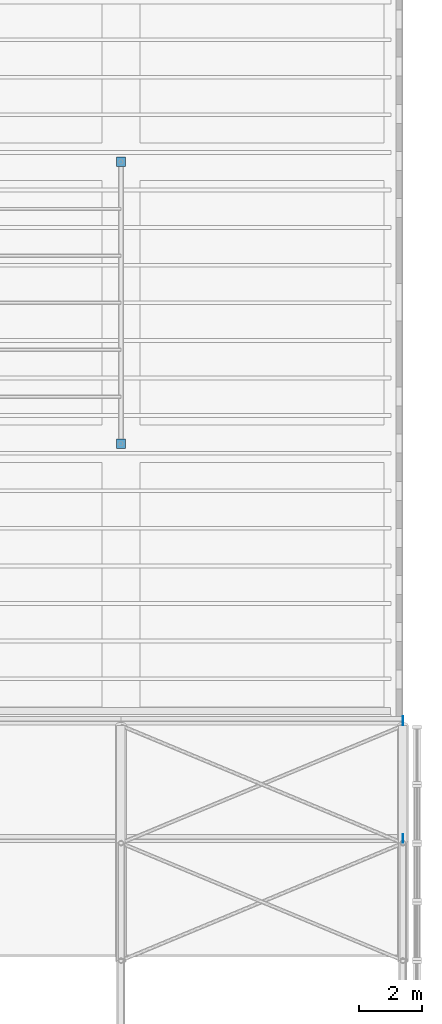
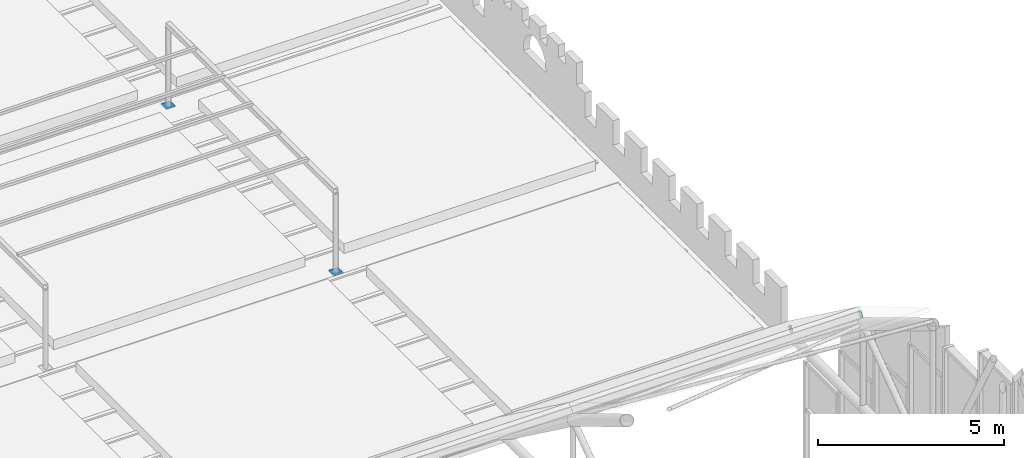
# One storey, part 134 of 153: 4 discrete accessories.
"""IFC4 building model written with IfcOpenShell, lengths in metres."""

from ifc_helpers import new_model, si_unit, direction, frame, origin, origin_2d, place, context, subcontext, project, spatial, rectangle, extrude, material, type_object, element, save


model = new_model("IFC4")

# Units and contexts
model_context = context("Model", 3, precision=1e-05, world=origin(), true_north=direction((0.0, 1.0)))
body_context = subcontext(model_context, "Body", "Model", "MODEL_VIEW")
ifc_project = project(units=[si_unit("LENGTHUNIT", "METRE"), si_unit("AREAUNIT", "SQUARE_METRE"), si_unit("VOLUMEUNIT", "CUBIC_METRE"), si_unit("PLANEANGLEUNIT", "RADIAN"), si_unit("MASSUNIT", "GRAM", prefix="KILO")], contexts=[model_context])

# Site, building, storey
site_placement = place(None, origin())
site = spatial("IfcSite", under=ifc_project, at=site_placement, CompositionType="ELEMENT")
building_placement = place(site_placement, origin())
building = spatial("IfcBuilding", under=site, at=building_placement, Name="Baradari Gate Terminus", CompositionType="ELEMENT")
storey_placement = place(building_placement, frame((0.0, 0.0, 11.699951171875)))
storey = spatial("IfcBuildingStorey", under=building, at=storey_placement, Name="L02", CompositionType="ELEMENT", Elevation=11.699951171875)

# Discrete accessories
ifc_material_1 = material(Name="Steel S355", Category="steel")
discrete_accessory_type_1 = type_object("IfcDiscreteAccessoryType", Name="Hollow section end plate EP-1 200x200x10", PredefinedType="ANCHORPLATE", material=ifc_material_1)
for number, where, z_axis, x_axis, name in (
    (1, (243.0, 77.397216796875, 3.10791015625), (1.0, 0.0, 0.0), (0.0, 0.832836263724, -0.55351942859), "End plate EP-1 at the end of TR/L02/B243-PU11"),
    (2, (243.0, 81.1572265625, 0.350830078125), (1.0, 0.0, 0.0), (0.0, 0.80640499586, -0.591363663621), "End plate EP-1 at the end of TR/L02/B243-PU12"),
):
    element("IfcDiscreteAccessory", number, at=place(storey_placement, frame(where, z_axis=z_axis, x_axis=x_axis)), inside=storey, type_object=discrete_accessory_type_1, Name=name, PredefinedType="ANCHORPLATE", context=body_context, shape_type="SweptSolid", body=[
        extrude(rectangle(XDim=0.199951171875, YDim=0.199951171875, at=origin_2d()), origin(), (0.0, 0.0, 1.0), 0.010009765625),
    ])
ifc_material_2 = material(Name="Steel S355", Category="steel")
discrete_accessory_type_2 = type_object("IfcDiscreteAccessoryType", Name="Pergola base plate PGP-1 300x300x12", PredefinedType="BRACKET", material=ifc_material_2)
for number, where, z_axis, x_axis, name in (
    (3, (234.0, 90.0, 0.0), (0.0, 0.0, 1.0), (1.0, 0.0, 0.0), "Pergola base plate E3"),
    (4, (234.0, 99.0, 0.0), (0.0, 0.0, 1.0), (1.0, 0.0, 0.0), "Pergola base plate E3"),
):
    element("IfcDiscreteAccessory", number, at=place(storey_placement, frame(where, z_axis=z_axis, x_axis=x_axis)), inside=storey, type_object=discrete_accessory_type_2, Name=name, PredefinedType="BRACKET", context=body_context, shape_type="SweptSolid", body=[
        extrude(rectangle(XDim=0.300048828125, YDim=0.300048828125, at=origin_2d()), origin(), (0.0, 0.0, 1.0), 0.011962890625),
    ])

save(model, "model.ifc")
